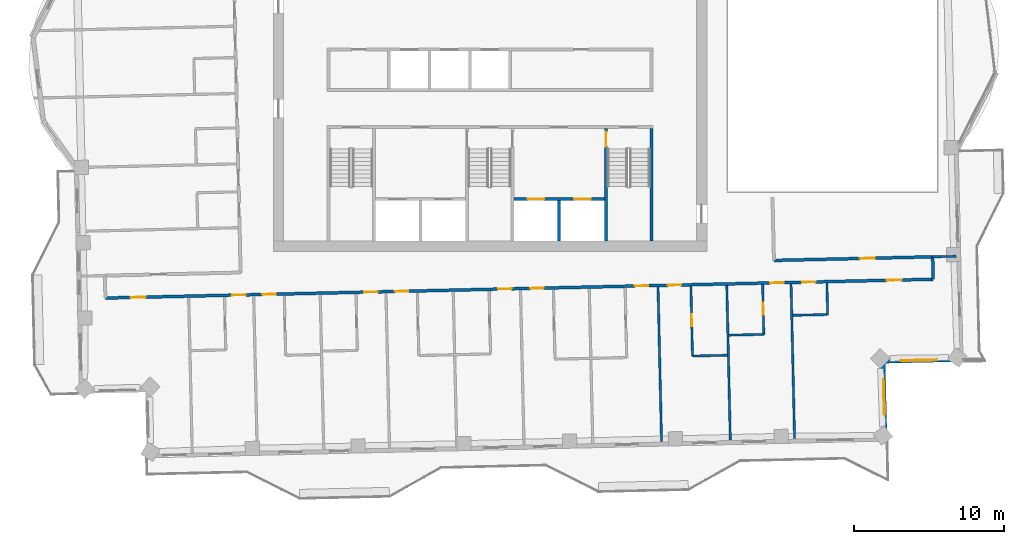
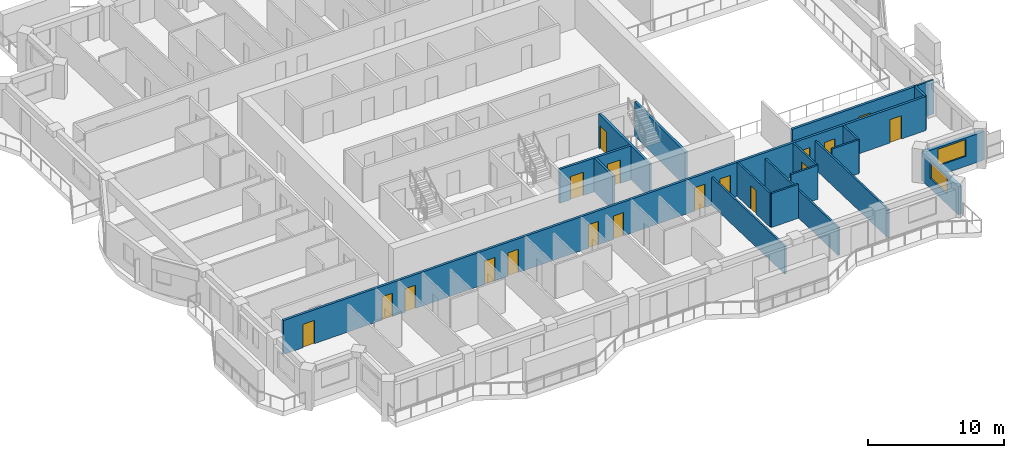
# One storey, part 9 of 18: 19 walls, 18 doors, 2 windows, 20 openings.
"""IFC4 building model written with IfcOpenShell, lengths in metres."""

from ifc_helpers import new_model, si_unit, direction, frame, frame_2d, origin, place, context, subcontext, project, spatial, rectangle, extrude, material, layer, layer_set, type_object, element, fill, save


model = new_model("IFC4")

# Units and contexts
model_context = context("Model", 3, precision=1e-05, world=origin(), true_north=direction((0.0, 1.0)))
body_context = subcontext(model_context, "Body", "Model", "MODEL_VIEW")
ifc_project = project(units=[si_unit("LENGTHUNIT", "METRE"), si_unit("AREAUNIT", "SQUARE_METRE"), si_unit("VOLUMEUNIT", "CUBIC_METRE"), si_unit("PLANEANGLEUNIT", "RADIAN"), si_unit("MASSUNIT", "GRAM", prefix="KILO")], contexts=[model_context])

# Site, building, storey
site_placement = place(None, origin())
site = spatial("IfcSite", under=ifc_project, at=site_placement, CompositionType="ELEMENT")
building_placement = place(site_placement, origin())
building = spatial("IfcBuilding", under=site, at=building_placement, Name="Mangrove Gate Tower", CompositionType="ELEMENT")
storey_placement = place(building_placement, frame((0.0, 0.0, 290.699951171875)))
storey = spatial("IfcBuildingStorey", under=building, at=storey_placement, Name="L74", CompositionType="ELEMENT", Elevation=290.699951171875)

# Wall, openings, doors
ifc_material_1 = material(Name="Concrete C50/60", Category="concrete")
ifc_layer_1 = layer(ifc_material_1, 0.199951171875)
ifc_layer_set_1 = layer_set([ifc_layer_1], Name="Core shaft wall 200 C50/60")
wall_type_1 = type_object("IfcWallType", Name="Core shaft wall 200 C50/60", PredefinedType="SHEAR", material=ifc_layer_set_1)
wall_1_placement = place(storey_placement, frame((1.60009765625, -8.0, 0.0), z_axis=(0.0, 0.0, 1.0), x_axis=(1.0, 0.0, 0.0)))
wall_1 = element("IfcWall", 1, at=wall_1_placement, inside=storey, type_object=wall_type_1, Name="WALL-L74-CORE-17", PredefinedType="SHEAR", context=body_context, shape_type="SweptSolid", body=[
    extrude(rectangle(XDim=6.0498046875, YDim=0.199951171875, at=frame_2d((3.02490234375, 0.0))), origin(), (0.0, 0.0, 1.0), 3.050048828125),
])
opening_1_placement = place(wall_1_placement, frame((0.91259765625, 0.0, 0.0)))
opening_1 = element("IfcOpeningElement", 2, at=opening_1_placement, cuts=wall_1, Name="Opening LD", PredefinedType="OPENING", context=body_context, shape_type="SweptSolid", body=[
    extrude(rectangle(XDim=1.10009765625, YDim=2.10009765625, at=frame_2d((0.550048828125, 1.050048828125))), frame((0.0, 0.10986328125, 0.0), z_axis=(0.0, -1.0, 0.0), x_axis=(1.0, 0.0, 0.0)), (0.0, 0.0, 1.0), 0.219970703125),
])
opening_2_placement = place(wall_1_placement, frame((4.03759765625, 0.0, 0.0)))
opening_2 = element("IfcOpeningElement", 3, at=opening_2_placement, cuts=wall_1, Name="Opening LD", PredefinedType="OPENING", context=body_context, shape_type="SweptSolid", body=[
    extrude(rectangle(XDim=1.10009765625, YDim=2.10009765625, at=frame_2d((0.550048828125, 1.050048828125))), frame((0.0, 0.10986328125, 0.0), z_axis=(0.0, -1.0, 0.0), x_axis=(1.0, 0.0, 0.0)), (0.0, 0.0, 1.0), 0.219970703125),
])
ifc_material_2 = material(Name="Stainless steel 316", Category="steel")
door_type_1 = type_object("IfcDoorType", Name="Lift landing door 1100x2100", OperationType="SLIDING_TO_LEFT", PredefinedType="DOOR", material=ifc_material_2)
door_1_placement = place(opening_1_placement, origin())
door_1 = element("IfcDoor", 4, at=door_1_placement, inside=storey, type_object=door_type_1, Name="Landing door LD FFL1", OperationType="SLIDING_TO_LEFT", OverallHeight=2.10009765625, OverallWidth=1.10009765625, PredefinedType="DOOR", context=body_context, shape_type="SweptSolid", body=[
    extrude(rectangle(XDim=1.10009765625, YDim=2.10009765625, at=frame_2d((0.550048828125, 1.050048828125))), frame((0.0, 0.02490234375, 0.0), z_axis=(0.0, -1.0, 0.0), x_axis=(1.0, 0.0, 0.0)), (0.0, 0.0, 1.0), 0.050048828125),
])
fill(opening_1, door_1)
door_2_placement = place(opening_2_placement, origin())
door_2 = element("IfcDoor", 5, at=door_2_placement, inside=storey, type_object=door_type_1, Name="Landing door LD FFL2", OperationType="SLIDING_TO_LEFT", OverallHeight=2.10009765625, OverallWidth=1.10009765625, PredefinedType="DOOR", context=body_context, shape_type="SweptSolid", body=[
    extrude(rectangle(XDim=1.10009765625, YDim=2.10009765625, at=frame_2d((0.550048828125, 1.050048828125))), frame((0.0, 0.02490234375, 0.0), z_axis=(0.0, -1.0, 0.0), x_axis=(1.0, 0.0, 0.0)), (0.0, 0.0, 1.0), 0.050048828125),
])
fill(opening_2, door_2)

# Wall
wall_2_placement = place(storey_placement, frame((4.625, -10.800048828125, 0.0), z_axis=(0.0, 0.0, 1.0), x_axis=(0.0, 1.0, 0.0)))
element("IfcWall", 6, at=wall_2_placement, inside=storey, type_object=wall_type_1, Name="WALL-L74-CORE-18", PredefinedType="SHEAR", context=body_context, shape_type="SweptSolid", body=[
    extrude(rectangle(XDim=2.699951171875, YDim=0.199951171875, at=frame_2d((1.35009765625, 0.0))), origin(), (0.0, 0.0, 1.0), 3.050048828125),
])

# Wall, opening, door
ifc_material_3 = material(Name="Concrete C50/60", Category="concrete")
ifc_layer_2 = layer(ifc_material_3, 0.199951171875)
ifc_layer_set_2 = layer_set([ifc_layer_2], Name="Core stair wall 200 C50/60")
wall_type_2 = type_object("IfcWallType", Name="Core stair wall 200 C50/60", PredefinedType="SHEAR", material=ifc_layer_set_2)
wall_3_placement = place(storey_placement, frame((7.75, -10.800048828125, 0.0), z_axis=(0.0, 0.0, 1.0), x_axis=(0.0, 1.0, 0.0)))
wall_3 = element("IfcWall", 7, at=wall_3_placement, inside=storey, type_object=wall_type_2, Name="WALL-L74-CORE-13", PredefinedType="SHEAR", context=body_context, shape_type="SweptSolid", body=[
    extrude(rectangle(XDim=7.5, YDim=0.199951171875, at=frame_2d((3.75, 0.0))), origin(), (0.0, 0.0, 1.0), 3.050048828125),
])
opening_3_placement = place(wall_3_placement, frame((6.300048828125, 0.0, 0.0)))
opening_3 = element("IfcOpeningElement", 8, at=opening_3_placement, cuts=wall_3, Name="Opening STD10", PredefinedType="OPENING", context=body_context, shape_type="SweptSolid", body=[
    extrude(rectangle(XDim=1.0, YDim=2.10009765625, at=frame_2d((0.5, 1.050048828125))), frame((0.0, 0.10986328125, 0.0), z_axis=(0.0, -1.0, 0.0), x_axis=(1.0, 0.0, 0.0)), (0.0, 0.0, 1.0), 0.219970703125),
])
ifc_material_4 = material(Name="Fire-rated steel door set", Category="steel")
door_type_2 = type_object("IfcDoorType", Name="Stair door FD60 1000x2100", OperationType="SINGLE_SWING_RIGHT", PredefinedType="DOOR", material=ifc_material_4)
door_3_placement = place(opening_3_placement, origin())
door_3 = element("IfcDoor", 9, at=door_3_placement, inside=storey, type_object=door_type_2, Name="Stair door Stair 3 from fire-fighting lobby", OperationType="SINGLE_SWING_RIGHT", OverallHeight=2.10009765625, OverallWidth=1.0, PredefinedType="DOOR", context=body_context, shape_type="SweptSolid", body=[
    extrude(rectangle(XDim=1.0, YDim=2.10009765625, at=frame_2d((0.5, 1.050048828125))), frame((0.0, 0.02490234375, 0.0), z_axis=(0.0, -1.0, 0.0), x_axis=(1.0, 0.0, 0.0)), (0.0, 0.0, 1.0), 0.050048828125),
])
fill(opening_3, door_3)

# Wall
wall_4_placement = place(storey_placement, frame((10.800048828125, -10.800048828125, 0.0), z_axis=(0.0, 0.0, 1.0), x_axis=(0.0, 1.0, 0.0)))
element("IfcWall", 10, at=wall_4_placement, inside=storey, type_object=wall_type_2, Name="WALL-L74-CORE-14", PredefinedType="SHEAR", context=body_context, shape_type="SweptSolid", body=[
    extrude(rectangle(XDim=7.5, YDim=0.199951171875, at=frame_2d((3.75, 0.0))), origin(), (0.0, 0.0, 1.0), 3.050048828125),
])

# Wall, openings, doors
ifc_material_5 = material(Name="Gypsum board on steel stud, EI 60", Category="steel")
ifc_layer_3 = layer(ifc_material_5, 0.199951171875)
ifc_layer_set_3 = layer_set([ifc_layer_3], Name="Corridor wall EI 60")
wall_type_3 = type_object("IfcWallType", Name="Corridor wall EI 60", PredefinedType="PARTITIONING", material=ifc_layer_set_3)
wall_5_placement = place(storey_placement, frame((-25.73095703125, -14.6240234375, 0.0), z_axis=(0.0, 0.0, 1.0), x_axis=(0.999742799525, 0.022678950563, 0.0)))
wall_5 = element("IfcWall", 11, at=wall_5_placement, inside=storey, type_object=wall_type_3, Name="WALL-L74-029", PredefinedType="PARTITIONING", context=body_context, shape_type="SweptSolid", body=[
    extrude(rectangle(XDim=55.38623046875, YDim=0.199951171875, at=frame_2d((27.693115234375, 0.0))), origin(), (0.0, 0.0, 1.0), 3.050048828125),
])
opening_4_placement = place(wall_5_placement, frame((1.69091796875, 0.0, 0.0)))
opening_4 = element("IfcOpeningElement", 12, at=opening_4_placement, cuts=wall_5, Name="Opening AD", PredefinedType="OPENING", context=body_context, shape_type="SweptSolid", body=[
    extrude(rectangle(XDim=1.0, YDim=2.10009765625, at=frame_2d((0.5, 1.050048828125))), frame((0.0, 0.10986328125, 0.0), z_axis=(0.0, -1.0, 0.0), x_axis=(1.0, 0.0, 0.0)), (0.0, 0.0, 1.0), 0.219970703125),
])
opening_5_placement = place(wall_5_placement, frame((8.5, 0.0, 0.0)))
opening_5 = element("IfcOpeningElement", 13, at=opening_5_placement, cuts=wall_5, Name="Opening BD", PredefinedType="OPENING", context=body_context, shape_type="SweptSolid", body=[
    extrude(rectangle(XDim=0.89990234375, YDim=2.10009765625, at=frame_2d((0.449951171875, 1.050048828125))), frame((0.0, 0.10986328125, 0.0), z_axis=(0.0, -1.0, 0.0), x_axis=(1.0, 0.0, 0.0)), (0.0, 0.0, 1.0), 0.219970703125),
])
opening_6_placement = place(wall_5_placement, frame((10.5, 0.0, 0.0)))
opening_6 = element("IfcOpeningElement", 14, at=opening_6_placement, cuts=wall_5, Name="Opening BD", PredefinedType="OPENING", context=body_context, shape_type="SweptSolid", body=[
    extrude(rectangle(XDim=0.89990234375, YDim=2.10009765625, at=frame_2d((0.449951171875, 1.050048828125))), frame((0.0, 0.10986328125, 0.0), z_axis=(0.0, -1.0, 0.0), x_axis=(1.0, 0.0, 0.0)), (0.0, 0.0, 1.0), 0.219970703125),
])
opening_7_placement = place(wall_5_placement, frame((17.324951171875, 0.0, 0.0)))
opening_7 = element("IfcOpeningElement", 15, at=opening_7_placement, cuts=wall_5, Name="Opening BD", PredefinedType="OPENING", context=body_context, shape_type="SweptSolid", body=[
    extrude(rectangle(XDim=0.89990234375, YDim=2.10009765625, at=frame_2d((0.449951171875, 1.050048828125))), frame((0.0, 0.10986328125, 0.0), z_axis=(0.0, -1.0, 0.0), x_axis=(1.0, 0.0, 0.0)), (0.0, 0.0, 1.0), 0.219970703125),
])
opening_8_placement = place(wall_5_placement, frame((19.375, 0.0, 0.0)))
opening_8 = element("IfcOpeningElement", 16, at=opening_8_placement, cuts=wall_5, Name="Opening BD", PredefinedType="OPENING", context=body_context, shape_type="SweptSolid", body=[
    extrude(rectangle(XDim=0.89990234375, YDim=2.10009765625, at=frame_2d((0.449951171875, 1.050048828125))), frame((0.0, 0.10986328125, 0.0), z_axis=(0.0, -1.0, 0.0), x_axis=(1.0, 0.0, 0.0)), (0.0, 0.0, 1.0), 0.219970703125),
])
opening_9_placement = place(wall_5_placement, frame((26.27490234375, 0.0, 0.0)))
opening_9 = element("IfcOpeningElement", 17, at=opening_9_placement, cuts=wall_5, Name="Opening BD", PredefinedType="OPENING", context=body_context, shape_type="SweptSolid", body=[
    extrude(rectangle(XDim=0.89990234375, YDim=2.10009765625, at=frame_2d((0.449951171875, 1.050048828125))), frame((0.0, 0.10986328125, 0.0), z_axis=(0.0, -1.0, 0.0), x_axis=(1.0, 0.0, 0.0)), (0.0, 0.0, 1.0), 0.219970703125),
])
opening_10_placement = place(wall_5_placement, frame((28.425048828125, 0.0, 0.0)))
opening_10 = element("IfcOpeningElement", 18, at=opening_10_placement, cuts=wall_5, Name="Opening BD", PredefinedType="OPENING", context=body_context, shape_type="SweptSolid", body=[
    extrude(rectangle(XDim=0.89990234375, YDim=2.10009765625, at=frame_2d((0.449951171875, 1.050048828125))), frame((0.0, 0.10986328125, 0.0), z_axis=(0.0, -1.0, 0.0), x_axis=(1.0, 0.0, 0.0)), (0.0, 0.0, 1.0), 0.219970703125),
])
opening_11_placement = place(wall_5_placement, frame((35.425048828125, 0.0, 0.0)))
opening_11 = element("IfcOpeningElement", 19, at=opening_11_placement, cuts=wall_5, Name="Opening BD", PredefinedType="OPENING", context=body_context, shape_type="SweptSolid", body=[
    extrude(rectangle(XDim=0.89990234375, YDim=2.10009765625, at=frame_2d((0.449951171875, 1.050048828125))), frame((0.0, 0.10986328125, 0.0), z_axis=(0.0, -1.0, 0.0), x_axis=(1.0, 0.0, 0.0)), (0.0, 0.0, 1.0), 0.219970703125),
])
opening_12_placement = place(wall_5_placement, frame((37.625, 0.0, 0.0)))
opening_12 = element("IfcOpeningElement", 20, at=opening_12_placement, cuts=wall_5, Name="Opening BD", PredefinedType="OPENING", context=body_context, shape_type="SweptSolid", body=[
    extrude(rectangle(XDim=0.89990234375, YDim=2.10009765625, at=frame_2d((0.449951171875, 1.050048828125))), frame((0.0, 0.10986328125, 0.0), z_axis=(0.0, -1.0, 0.0), x_axis=(1.0, 0.0, 0.0)), (0.0, 0.0, 1.0), 0.219970703125),
])
opening_13_placement = place(wall_5_placement, frame((44.47509765625, 0.0, 0.0)))
opening_13 = element("IfcOpeningElement", 21, at=opening_13_placement, cuts=wall_5, Name="Opening BD", PredefinedType="OPENING", context=body_context, shape_type="SweptSolid", body=[
    extrude(rectangle(XDim=0.89990234375, YDim=2.10009765625, at=frame_2d((0.449951171875, 1.050048828125))), frame((0.0, 0.10986328125, 0.0), z_axis=(0.0, -1.0, 0.0), x_axis=(1.0, 0.0, 0.0)), (0.0, 0.0, 1.0), 0.219970703125),
])
opening_14_placement = place(wall_5_placement, frame((52.26806640625, 0.0, 0.0)))
opening_14 = element("IfcOpeningElement", 22, at=opening_14_placement, cuts=wall_5, Name="Opening AD", PredefinedType="OPENING", context=body_context, shape_type="SweptSolid", body=[
    extrude(rectangle(XDim=1.0, YDim=2.10009765625, at=frame_2d((0.5, 1.050048828125))), frame((0.0, 0.10986328125, 0.0), z_axis=(0.0, -1.0, 0.0), x_axis=(1.0, 0.0, 0.0)), (0.0, 0.0, 1.0), 0.219970703125),
])
opening_15_placement = place(wall_5_placement, frame((46.625, 0.0, 0.0)))
opening_15 = element("IfcOpeningElement", 23, at=opening_15_placement, cuts=wall_5, Name="Opening SD", PredefinedType="OPENING", context=body_context, shape_type="SweptSolid", body=[
    extrude(rectangle(XDim=0.89990234375, YDim=2.10009765625, at=frame_2d((0.449951171875, 1.050048828125))), frame((0.0, 0.10986328125, 0.0), z_axis=(0.0, -1.0, 0.0), x_axis=(1.0, 0.0, 0.0)), (0.0, 0.0, 1.0), 0.219970703125),
])
ifc_material_6 = material(Name="Timber door leaf", Category="wood")
door_type_3 = type_object("IfcDoorType", Name="Amenity door 1000", OperationType="SINGLE_SWING_LEFT", PredefinedType="DOOR", material=ifc_material_6)
door_4_placement = place(opening_4_placement, origin())
door_4 = element("IfcDoor", 24, at=door_4_placement, inside=storey, type_object=door_type_3, Name="DOOR-L74-STU-c1a", OperationType="SINGLE_SWING_LEFT", OverallHeight=2.10009765625, OverallWidth=1.0, PredefinedType="DOOR", context=body_context, shape_type="SweptSolid", body=[
    extrude(rectangle(XDim=1.0, YDim=2.10009765625, at=frame_2d((0.5, 1.050048828125))), frame((0.0, 0.02490234375, 0.0), z_axis=(0.0, -1.0, 0.0), x_axis=(1.0, 0.0, 0.0)), (0.0, 0.0, 1.0), 0.050048828125),
])
fill(opening_4, door_4)
door_5_placement = place(opening_14_placement, origin())
door_5 = element("IfcDoor", 25, at=door_5_placement, inside=storey, type_object=door_type_3, Name="DOOR-L74-LNG-c3a", OperationType="SINGLE_SWING_RIGHT", OverallHeight=2.10009765625, OverallWidth=1.0, PredefinedType="DOOR", context=body_context, shape_type="SweptSolid", body=[
    extrude(rectangle(XDim=1.0, YDim=2.10009765625, at=frame_2d((0.5, 1.050048828125))), frame((0.0, 0.02490234375, 0.0), z_axis=(0.0, -1.0, 0.0), x_axis=(1.0, 0.0, 0.0)), (0.0, 0.0, 1.0), 0.050048828125),
])
fill(opening_14, door_5)
ifc_material_7 = material(Name="Timber door leaf", Category="wood")
door_type_4 = type_object("IfcDoorType", Name="Bedroom door 900", OperationType="SINGLE_SWING_LEFT", PredefinedType="DOOR", material=ifc_material_7)
door_6_placement = place(opening_5_placement, origin())
door_6 = element("IfcDoor", 26, at=door_6_placement, inside=storey, type_object=door_type_4, Name="DOOR-L74-BED-c101", OperationType="SINGLE_SWING_LEFT", OverallHeight=2.10009765625, OverallWidth=0.89990234375, PredefinedType="DOOR", context=body_context, shape_type="SweptSolid", body=[
    extrude(rectangle(XDim=0.89990234375, YDim=2.10009765625, at=frame_2d((0.449951171875, 1.050048828125))), frame((0.0, 0.02490234375, 0.0), z_axis=(0.0, -1.0, 0.0), x_axis=(1.0, 0.0, 0.0)), (0.0, 0.0, 1.0), 0.050048828125),
])
fill(opening_5, door_6)
door_7_placement = place(opening_6_placement, origin())
door_7 = element("IfcDoor", 27, at=door_7_placement, inside=storey, type_object=door_type_4, Name="DOOR-L74-BED-c102", OperationType="SINGLE_SWING_RIGHT", OverallHeight=2.10009765625, OverallWidth=0.89990234375, PredefinedType="DOOR", context=body_context, shape_type="SweptSolid", body=[
    extrude(rectangle(XDim=0.89990234375, YDim=2.10009765625, at=frame_2d((0.449951171875, 1.050048828125))), frame((0.0, 0.02490234375, 0.0), z_axis=(0.0, -1.0, 0.0), x_axis=(1.0, 0.0, 0.0)), (0.0, 0.0, 1.0), 0.050048828125),
])
fill(opening_6, door_7)
door_8_placement = place(opening_7_placement, origin())
door_8 = element("IfcDoor", 28, at=door_8_placement, inside=storey, type_object=door_type_4, Name="DOOR-L74-BED-c103", OperationType="SINGLE_SWING_LEFT", OverallHeight=2.10009765625, OverallWidth=0.89990234375, PredefinedType="DOOR", context=body_context, shape_type="SweptSolid", body=[
    extrude(rectangle(XDim=0.89990234375, YDim=2.10009765625, at=frame_2d((0.449951171875, 1.050048828125))), frame((0.0, 0.02490234375, 0.0), z_axis=(0.0, -1.0, 0.0), x_axis=(1.0, 0.0, 0.0)), (0.0, 0.0, 1.0), 0.050048828125),
])
fill(opening_7, door_8)
door_9_placement = place(opening_8_placement, origin())
door_9 = element("IfcDoor", 29, at=door_9_placement, inside=storey, type_object=door_type_4, Name="DOOR-L74-BED-c104", OperationType="SINGLE_SWING_RIGHT", OverallHeight=2.10009765625, OverallWidth=0.89990234375, PredefinedType="DOOR", context=body_context, shape_type="SweptSolid", body=[
    extrude(rectangle(XDim=0.89990234375, YDim=2.10009765625, at=frame_2d((0.449951171875, 1.050048828125))), frame((0.0, 0.02490234375, 0.0), z_axis=(0.0, -1.0, 0.0), x_axis=(1.0, 0.0, 0.0)), (0.0, 0.0, 1.0), 0.050048828125),
])
fill(opening_8, door_9)
door_10_placement = place(opening_9_placement, origin())
door_10 = element("IfcDoor", 30, at=door_10_placement, inside=storey, type_object=door_type_4, Name="DOOR-L74-BED-c205", OperationType="SINGLE_SWING_LEFT", OverallHeight=2.10009765625, OverallWidth=0.89990234375, PredefinedType="DOOR", context=body_context, shape_type="SweptSolid", body=[
    extrude(rectangle(XDim=0.89990234375, YDim=2.10009765625, at=frame_2d((0.449951171875, 1.050048828125))), frame((0.0, 0.02490234375, 0.0), z_axis=(0.0, -1.0, 0.0), x_axis=(1.0, 0.0, 0.0)), (0.0, 0.0, 1.0), 0.050048828125),
])
fill(opening_9, door_10)
door_11_placement = place(opening_10_placement, origin())
door_11 = element("IfcDoor", 31, at=door_11_placement, inside=storey, type_object=door_type_4, Name="DOOR-L74-BED-c206", OperationType="SINGLE_SWING_RIGHT", OverallHeight=2.10009765625, OverallWidth=0.89990234375, PredefinedType="DOOR", context=body_context, shape_type="SweptSolid", body=[
    extrude(rectangle(XDim=0.89990234375, YDim=2.10009765625, at=frame_2d((0.449951171875, 1.050048828125))), frame((0.0, 0.02490234375, 0.0), z_axis=(0.0, -1.0, 0.0), x_axis=(1.0, 0.0, 0.0)), (0.0, 0.0, 1.0), 0.050048828125),
])
fill(opening_10, door_11)
door_12_placement = place(opening_11_placement, origin())
door_12 = element("IfcDoor", 32, at=door_12_placement, inside=storey, type_object=door_type_4, Name="DOOR-L74-BED-c207", OperationType="SINGLE_SWING_LEFT", OverallHeight=2.10009765625, OverallWidth=0.89990234375, PredefinedType="DOOR", context=body_context, shape_type="SweptSolid", body=[
    extrude(rectangle(XDim=0.89990234375, YDim=2.10009765625, at=frame_2d((0.449951171875, 1.050048828125))), frame((0.0, 0.02490234375, 0.0), z_axis=(0.0, -1.0, 0.0), x_axis=(1.0, 0.0, 0.0)), (0.0, 0.0, 1.0), 0.050048828125),
])
fill(opening_11, door_12)
door_13_placement = place(opening_12_placement, origin())
door_13 = element("IfcDoor", 33, at=door_13_placement, inside=storey, type_object=door_type_4, Name="DOOR-L74-BED-c208", OperationType="SINGLE_SWING_RIGHT", OverallHeight=2.10009765625, OverallWidth=0.89990234375, PredefinedType="DOOR", context=body_context, shape_type="SweptSolid", body=[
    extrude(rectangle(XDim=0.89990234375, YDim=2.10009765625, at=frame_2d((0.449951171875, 1.050048828125))), frame((0.0, 0.02490234375, 0.0), z_axis=(0.0, -1.0, 0.0), x_axis=(1.0, 0.0, 0.0)), (0.0, 0.0, 1.0), 0.050048828125),
])
fill(opening_12, door_13)
door_14_placement = place(opening_13_placement, origin())
door_14 = element("IfcDoor", 34, at=door_14_placement, inside=storey, type_object=door_type_4, Name="DOOR-L74-BED-c309", OperationType="SINGLE_SWING_LEFT", OverallHeight=2.10009765625, OverallWidth=0.89990234375, PredefinedType="DOOR", context=body_context, shape_type="SweptSolid", body=[
    extrude(rectangle(XDim=0.89990234375, YDim=2.10009765625, at=frame_2d((0.449951171875, 1.050048828125))), frame((0.0, 0.02490234375, 0.0), z_axis=(0.0, -1.0, 0.0), x_axis=(1.0, 0.0, 0.0)), (0.0, 0.0, 1.0), 0.050048828125),
])
fill(opening_13, door_14)
ifc_material_8 = material(Name="Timber door leaf", Category="wood")
door_type_5 = type_object("IfcDoorType", Name="Service room door 900", OperationType="SINGLE_SWING_LEFT", PredefinedType="DOOR", material=ifc_material_8)
door_15_placement = place(opening_15_placement, origin())
door_15 = element("IfcDoor", 35, at=door_15_placement, inside=storey, type_object=door_type_5, Name="DOOR-L74-LIN-c3a", OperationType="SINGLE_SWING_LEFT", OverallHeight=2.10009765625, OverallWidth=0.89990234375, PredefinedType="DOOR", context=body_context, shape_type="SweptSolid", body=[
    extrude(rectangle(XDim=0.89990234375, YDim=2.10009765625, at=frame_2d((0.449951171875, 1.050048828125))), frame((0.0, 0.02490234375, 0.0), z_axis=(0.0, -1.0, 0.0), x_axis=(1.0, 0.0, 0.0)), (0.0, 0.0, 1.0), 0.050048828125),
])
fill(opening_15, door_15)

# Wall
wall_6_placement = place(storey_placement, frame((29.637939453125, -13.367919921875, 0.0), z_axis=(0.0, 0.0, 1.0), x_axis=(-0.022617910375, 0.999744182344, 0.0)))
element("IfcWall", 36, at=wall_6_placement, inside=storey, type_object=wall_type_3, Name="WALL-L74-031", PredefinedType="PARTITIONING", context=body_context, shape_type="SweptSolid", body=[
    extrude(rectangle(XDim=1.50048828125, YDim=0.199951171875, at=frame_2d((0.750244140625, 0.0))), origin(), (0.0, 0.0, 1.0), 3.050048828125),
])

# Wall, opening, door
wall_7_placement = place(storey_placement, frame((18.985107421875, -12.10888671875, 0.0), z_axis=(0.0, 0.0, 1.0), x_axis=(0.999742771882, 0.022680169073, 0.0)))
wall_7 = element("IfcWall", 37, at=wall_7_placement, inside=storey, type_object=wall_type_3, Name="WALL-L74-035", PredefinedType="PARTITIONING", context=body_context, shape_type="SweptSolid", body=[
    extrude(rectangle(XDim=10.62451171875, YDim=0.199951171875, at=frame_2d((5.312255859375, 0.0))), origin(), (0.0, 0.0, 1.0), 3.050048828125),
])
opening_16_placement = place(wall_7_placement, frame((5.75, 0.0, 0.0)))
opening_16 = element("IfcOpeningElement", 38, at=opening_16_placement, cuts=wall_7, Name="Opening AD", PredefinedType="OPENING", context=body_context, shape_type="SweptSolid", body=[
    extrude(rectangle(XDim=1.0, YDim=2.10009765625, at=frame_2d((0.5, 1.050048828125))), frame((0.0, 0.10986328125, 0.0), z_axis=(0.0, -1.0, 0.0), x_axis=(1.0, 0.0, 0.0)), (0.0, 0.0, 1.0), 0.219970703125),
])
door_16_placement = place(opening_16_placement, origin())
door_16 = element("IfcDoor", 39, at=door_16_placement, inside=storey, type_object=door_type_3, Name="DOOR-L74-GAM-c3a", OperationType="SINGLE_SWING_LEFT", OverallHeight=2.10009765625, OverallWidth=1.0, PredefinedType="DOOR", context=body_context, shape_type="SweptSolid", body=[
    extrude(rectangle(XDim=1.0, YDim=2.10009765625, at=frame_2d((0.5, 1.050048828125))), frame((0.0, 0.02490234375, 0.0), z_axis=(0.0, -1.0, 0.0), x_axis=(1.0, 0.0, 0.0)), (0.0, 0.0, 1.0), 0.050048828125),
])
fill(opening_16, door_16)

# Wall, opening, window
ifc_material_9 = material(Name="Limestone", Category="masonry")
ifc_layer_4 = layer(ifc_material_9, 0.0400390625, Name="Limestone cladding")
ifc_material_10 = material(Name="Ventilated air gap")
ifc_layer_5 = layer(ifc_material_10, 0.0400390625, Name="Ventilated cavity")
ifc_material_11 = material(Name="Mineral wool insulation")
ifc_layer_6 = layer(ifc_material_11, 0.06005859375, Name="Insulation")
ifc_material_12 = material(Name="Breather membrane")
ifc_layer_7 = layer(ifc_material_12, 0.001953125, Name="Breather membrane")
ifc_material_13 = material(Name="Concrete C20/25 blockwork", Category="masonry")
ifc_layer_8 = layer(ifc_material_13, 0.14990234375, Name="Blockwork backing wall")
ifc_material_14 = material(Name="Gypsum plaster")
ifc_layer_9 = layer(ifc_material_14, 0.008056640625, Name="Internal plaster")
ifc_layer_set_4 = layer_set([ifc_layer_4, ifc_layer_5, ifc_layer_6, ifc_layer_7, ifc_layer_8, ifc_layer_9], Name="External wall 300 limestone cladding")
wall_type_4 = type_object("IfcWallType", Name="External wall 300 limestone cladding", PredefinedType="SOLIDWALL", material=ifc_layer_set_4)
wall_8_placement = place(storey_placement, frame((26.406982421875, -24.0439453125, 0.0), z_axis=(0.0, 0.0, 1.0), x_axis=(-0.022675548694, 0.99974287669, 0.0)))
wall_8 = element("IfcWall", 40, at=wall_8_placement, inside=storey, type_object=wall_type_4, Name="WALL-L74-E14", PredefinedType="SOLIDWALL", context=body_context, shape_type="SweptSolid", body=[
    extrude(rectangle(XDim=5.2001953125, YDim=0.300048828125, at=frame_2d((2.60009765625, 0.0))), origin(), (0.0, 0.0, 1.0), 2.550048828125),
])
opening_17_placement = place(wall_8_placement, frame((1.60498046875, 0.0, 0.89990234375)))
opening_17 = element("IfcOpeningElement", 41, at=opening_17_placement, cuts=wall_8, Name="Opening W2", PredefinedType="OPENING", context=body_context, shape_type="SweptSolid", body=[
    extrude(rectangle(XDim=2.39990234375, YDim=1.5, at=frame_2d((1.199951171875, 0.75))), frame((0.0, 0.159912109375, 0.0), z_axis=(0.0, -1.0, 0.0), x_axis=(1.0, 0.0, 0.0)), (0.0, 0.0, 1.0), 0.320068359375),
])
ifc_material_15 = material(Name="Aluminium frame with double-glazed low-e glass", Category="aluminium")
window_type = type_object("IfcWindowType", Name="Corner room window 2400x1500", PartitioningType="DOUBLE_PANEL_VERTICAL", PredefinedType="WINDOW", material=ifc_material_15)
window_1_placement = place(opening_17_placement, origin())
window_1 = element("IfcWindow", 42, at=window_1_placement, inside=storey, type_object=window_type, Name="WIN-L74-E14-1", OverallHeight=1.5, OverallWidth=2.39990234375, PartitioningType="DOUBLE_PANEL_VERTICAL", PredefinedType="WINDOW", context=body_context, shape_type="SweptSolid", body=[
    extrude(rectangle(XDim=2.39990234375, YDim=1.5, at=frame_2d((1.199951171875, 0.75))), frame((0.0, 0.030029296875, 0.0), z_axis=(0.0, -1.0, 0.0), x_axis=(1.0, 0.0, 0.0)), (0.0, 0.0, 1.0), 0.06005859375),
])
fill(opening_17, window_1)

wall_9_placement = place(storey_placement, frame((26.2890625, -18.844970703125, 0.0), z_axis=(0.0, 0.0, 1.0), x_axis=(0.99974287669, 0.022675548694, 0.0)))
wall_9 = element("IfcWall", 43, at=wall_9_placement, inside=storey, type_object=wall_type_4, Name="WALL-L74-S15", PredefinedType="SOLIDWALL", context=body_context, shape_type="SweptSolid", body=[
    extrude(rectangle(XDim=5.2001953125, YDim=0.300048828125, at=frame_2d((2.60009765625, 0.0))), origin(), (0.0, 0.0, 1.0), 2.550048828125),
])
opening_18_placement = place(wall_9_placement, frame((1.194091796875, 0.0, 0.89990234375)))
opening_18 = element("IfcOpeningElement", 44, at=opening_18_placement, cuts=wall_9, Name="Opening W2", PredefinedType="OPENING", context=body_context, shape_type="SweptSolid", body=[
    extrude(rectangle(XDim=2.39990234375, YDim=1.5, at=frame_2d((1.199951171875, 0.75))), frame((0.0, 0.159912109375, 0.0), z_axis=(0.0, -1.0, 0.0), x_axis=(1.0, 0.0, 0.0)), (0.0, 0.0, 1.0), 0.320068359375),
])
window_2_placement = place(opening_18_placement, origin())
window_2 = element("IfcWindow", 45, at=window_2_placement, inside=storey, type_object=window_type, Name="WIN-L74-S15-1", OverallHeight=1.5, OverallWidth=2.39990234375, PartitioningType="DOUBLE_PANEL_VERTICAL", PredefinedType="WINDOW", context=body_context, shape_type="SweptSolid", body=[
    extrude(rectangle(XDim=2.39990234375, YDim=1.5, at=frame_2d((1.199951171875, 0.75))), frame((0.0, 0.030029296875, 0.0), z_axis=(0.0, -1.0, 0.0), x_axis=(1.0, 0.0, 0.0)), (0.0, 0.0, 1.0), 0.06005859375),
])
fill(opening_18, window_2)

# Walls
ifc_material_16 = material(Name="Gypsum board on steel stud, EI 60", Category="steel")
ifc_layer_10 = layer(ifc_material_16, 0.14990234375)
ifc_layer_set_5 = layer_set([ifc_layer_10], Name="Party wall 150 EI 60")
wall_type_5 = type_object("IfcWallType", Name="Party wall 150 EI 60", PredefinedType="PARTITIONING", material=ifc_layer_set_5)
for number, where, z_axis, x_axis, name in (
    (46, (11.469970703125, -24.23291015625, 0.0), (0.0, 0.0, 1.0), (-0.022690865001, 0.999742529177, 0.0), "WALL-L74-008"),
    (47, (16.069091796875, -24.12890625, 0.0), (0.0, 0.0, 1.0), (-0.022714440015, 0.999741993824, 0.0), "WALL-L74-009"),
):
    element("IfcWall", number, at=place(storey_placement, frame(where, z_axis=z_axis, x_axis=x_axis)), inside=storey, type_object=wall_type_5, Name=name, PredefinedType="PARTITIONING", context=body_context, shape_type="SweptSolid", body=[
        extrude(rectangle(XDim=10.3505859375, YDim=0.14990234375, at=frame_2d((5.17529296875, 0.0))), origin(), (0.0, 0.0, 1.0), 2.5),
    ])
wall_10_placement = place(storey_placement, frame((20.366943359375, -24.031005859375, 0.0), z_axis=(0.0, 0.0, 1.0), x_axis=(-0.022596564565, 0.999744665037, 0.0)))
element("IfcWall", 48, at=wall_10_placement, inside=storey, type_object=wall_type_5, Name="WALL-L74-010", PredefinedType="PARTITIONING", context=body_context, shape_type="SweptSolid", body=[
    extrude(rectangle(XDim=10.3505859375, YDim=0.14990234375, at=frame_2d((5.17529296875, 0.0))), origin(), (0.0, 0.0, 1.0), 2.550048828125),
])

# Wall, opening, door
wall_11_placement = place(storey_placement, frame((13.5400390625, -18.50390625, 0.0), z_axis=(0.0, 0.0, 1.0), x_axis=(-0.022688155425, 0.999742590672, 0.0)))
wall_11 = element("IfcWall", 49, at=wall_11_placement, inside=storey, type_object=wall_type_5, Name="WALL-L74-014", PredefinedType="PARTITIONING", context=body_context, shape_type="SweptSolid", body=[
    extrude(rectangle(XDim=4.670166015625, YDim=0.14990234375, at=frame_2d((2.3349609375, 0.0))), origin(), (0.0, 0.0, 1.0), 3.050048828125),
])
opening_19_placement = place(wall_11_placement, frame((1.985107421875, 0.0, 0.0)))
opening_19 = element("IfcOpeningElement", 50, at=opening_19_placement, cuts=wall_11, Name="Opening ED", PredefinedType="OPENING", context=body_context, shape_type="SweptSolid", body=[
    extrude(rectangle(XDim=0.800048828125, YDim=2.10009765625, at=frame_2d((0.39990234375, 1.050048828125))), frame((0.0, 0.0849609375, 0.0), z_axis=(0.0, -1.0, 0.0), x_axis=(1.0, 0.0, 0.0)), (0.0, 0.0, 1.0), 0.169921875),
])
ifc_material_17 = material(Name="Timber door leaf", Category="wood")
door_type_6 = type_object("IfcDoorType", Name="En-suite door 800", OperationType="SINGLE_SWING_LEFT", PredefinedType="DOOR", material=ifc_material_17)
door_17_placement = place(opening_19_placement, origin())
door_17 = element("IfcDoor", 51, at=door_17_placement, inside=storey, type_object=door_type_6, Name="DOOR-L74-ENS-c208", OperationType="SINGLE_SWING_RIGHT", OverallHeight=2.10009765625, OverallWidth=0.800048828125, PredefinedType="DOOR", context=body_context, shape_type="SweptSolid", body=[
    extrude(rectangle(XDim=0.800048828125, YDim=2.10009765625, at=frame_2d((0.39990234375, 1.050048828125))), frame((0.0, 0.02490234375, 0.0), z_axis=(0.0, -1.0, 0.0), x_axis=(1.0, 0.0, 0.0)), (0.0, 0.0, 1.0), 0.050048828125),
])
fill(opening_19, door_17)

# Walls
for number, where, z_axis, x_axis, name in (
    (52, (13.5419921875, -18.50390625, 0.0), (0.0, 0.0, 1.0), (0.999749954681, 0.022361308448, 0.0), "WALL-L74-015"),
    (53, (15.986083984375, -17.10791015625, 0.0), (0.0, 0.0, 1.0), (0.999749954681, 0.022361308448, 0.0), "WALL-L74-025"),
):
    element("IfcWall", number, at=place(storey_placement, frame(where, z_axis=z_axis, x_axis=x_axis)), inside=storey, type_object=wall_type_5, Name=name, PredefinedType="PARTITIONING", context=body_context, shape_type="SweptSolid", body=[
        extrude(rectangle(XDim=2.325439453125, YDim=0.14990234375, at=frame_2d((1.16259765625, 0.0))), origin(), (0.0, 0.0, 1.0), 3.050048828125),
    ])

# Wall, opening, door
wall_12_placement = place(storey_placement, frame((18.30908203125, -17.055908203125, 0.0), z_axis=(0.0, 0.0, 1.0), x_axis=(-0.022876300007, 0.999738303206, 0.0)))
wall_12 = element("IfcWall", 54, at=wall_12_placement, inside=storey, type_object=wall_type_5, Name="WALL-L74-026", PredefinedType="PARTITIONING", context=body_context, shape_type="SweptSolid", body=[
    extrude(rectangle(XDim=3.329833984375, YDim=0.14990234375, at=frame_2d((1.6650390625, 0.0))), origin(), (0.0, 0.0, 1.0), 3.050048828125),
])
opening_20_placement = place(wall_12_placement, frame((1.31494140625, 0.0, 0.0)))
opening_20 = element("IfcOpeningElement", 55, at=opening_20_placement, cuts=wall_12, Name="Opening ED", PredefinedType="OPENING", context=body_context, shape_type="SweptSolid", body=[
    extrude(rectangle(XDim=0.800048828125, YDim=2.10009765625, at=frame_2d((0.39990234375, 1.050048828125))), frame((0.0, 0.0849609375, 0.0), z_axis=(0.0, -1.0, 0.0), x_axis=(1.0, 0.0, 0.0)), (0.0, 0.0, 1.0), 0.169921875),
])
door_18_placement = place(opening_20_placement, origin())
door_18 = element("IfcDoor", 56, at=door_18_placement, inside=storey, type_object=door_type_6, Name="DOOR-L74-ENS-c309", OperationType="SINGLE_SWING_LEFT", OverallHeight=2.10009765625, OverallWidth=0.800048828125, PredefinedType="DOOR", context=body_context, shape_type="SweptSolid", body=[
    extrude(rectangle(XDim=0.800048828125, YDim=2.10009765625, at=frame_2d((0.39990234375, 1.050048828125))), frame((0.0, 0.02490234375, 0.0), z_axis=(0.0, -1.0, 0.0), x_axis=(1.0, 0.0, 0.0)), (0.0, 0.0, 1.0), 0.050048828125),
])
fill(opening_20, door_18)

# Walls
wall_13_placement = place(storey_placement, frame((20.257080078125, -15.781005859375, 0.0), z_axis=(0.0, 0.0, 1.0), x_axis=(0.999740478815, 0.022781023197, 0.0)))
element("IfcWall", 57, at=wall_13_placement, inside=storey, type_object=wall_type_5, Name="WALL-L74-027", PredefinedType="PARTITIONING", context=body_context, shape_type="SweptSolid", body=[
    extrude(rectangle(XDim=2.325439453125, YDim=0.14990234375, at=frame_2d((1.16259765625, 0.0))), origin(), (0.0, 0.0, 1.0), 3.050048828125),
])
wall_14_placement = place(storey_placement, frame((22.580078125, -15.72900390625, 0.0), z_axis=(0.0, 0.0, 1.0), x_axis=(-0.022895647347, 0.999737860308, 0.0)))
element("IfcWall", 58, at=wall_14_placement, inside=storey, type_object=wall_type_5, Name="WALL-L74-028", PredefinedType="PARTITIONING", context=body_context, shape_type="SweptSolid", body=[
    extrude(rectangle(XDim=2.1005859375, YDim=0.14990234375, at=frame_2d((1.05029296875, 0.0))), origin(), (0.0, 0.0, 1.0), 3.050048828125),
])
wall_15_placement = place(storey_placement, frame((29.60302734375, -11.867919921875, 0.0), z_axis=(0.0, 0.0, 1.0), x_axis=(0.999741755729, 0.022724916977, 0.0)))
element("IfcWall", 59, at=wall_15_placement, inside=storey, type_object=wall_type_5, Name="WALL-L74-037", PredefinedType="PARTITIONING", context=body_context, shape_type="SweptSolid", body=[
    extrude(rectangle(XDim=1.579345703125, YDim=0.14990234375, at=frame_2d((0.78955078125, 0.0))), origin(), (0.0, 0.0, 1.0), 3.050048828125),
])

save(model, "model.ifc")
